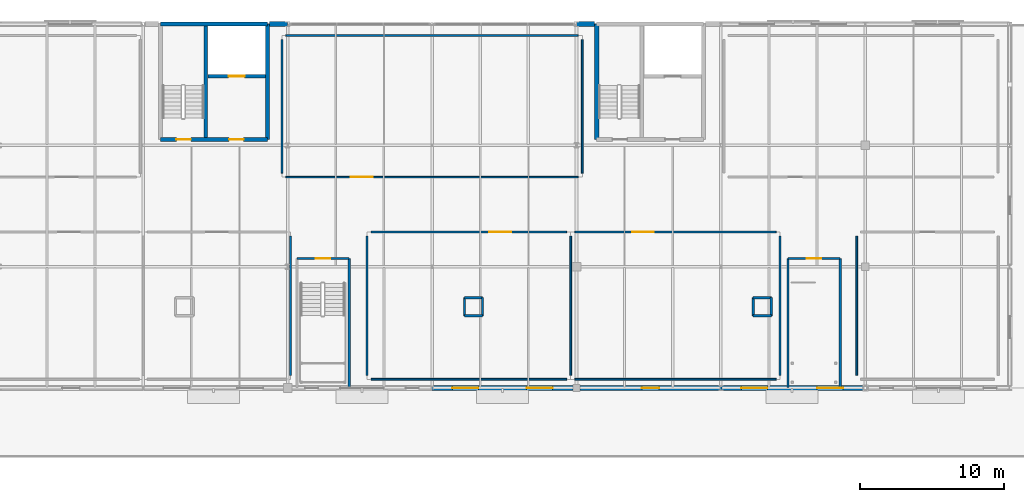
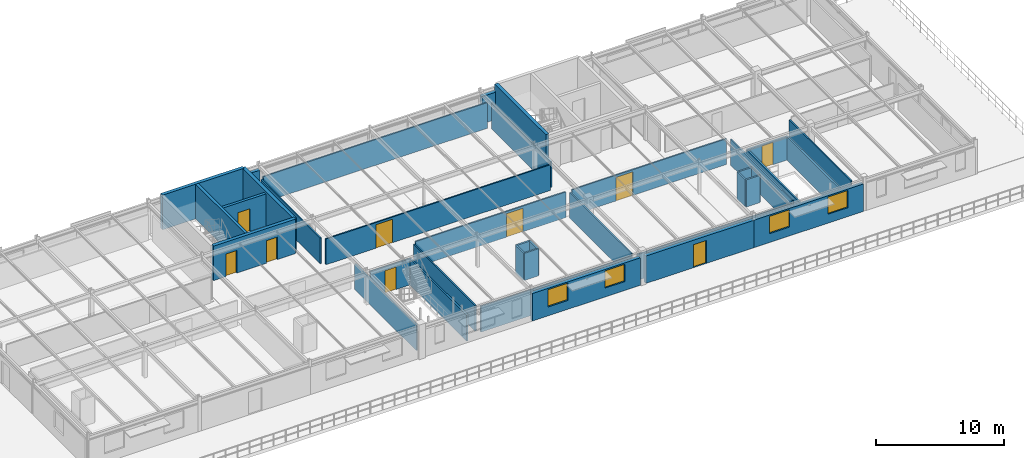
# One storey, part 17 of 23: 37 walls, 9 doors, 4 windows, 13 openings.
"""IFC4 building model written with IfcOpenShell, lengths in metres."""

from ifc_helpers import new_model, si_unit, derived_unit, direction, frame, frame_2d, origin, place, context, subcontext, project, spatial, rectangle, extrude, material, layer, layer_set, type_object, element, fill, save


model = new_model("IFC4")

# Units and contexts
model_context = context("Model", 3, precision=1e-05, world=origin(), true_north=direction((0.0, 1.0)))
body_context = subcontext(model_context, "Body", "Model", "MODEL_VIEW")
ifc_project = project(units=[si_unit("LENGTHUNIT", "METRE"), si_unit("AREAUNIT", "SQUARE_METRE"), si_unit("VOLUMEUNIT", "CUBIC_METRE"), si_unit("PLANEANGLEUNIT", "RADIAN"), si_unit("MASSUNIT", "GRAM", prefix="KILO"), derived_unit("THERMALTRANSMITTANCEUNIT", [(si_unit("POWERUNIT", "WATT"), 1), (si_unit("LENGTHUNIT", "METRE"), -2), (si_unit("THERMODYNAMICTEMPERATUREUNIT", "KELVIN"), -1)])], contexts=[model_context])

# Site, building, storey
site_placement = place(None, origin())
site = spatial("IfcSite", under=ifc_project, at=site_placement, CompositionType="ELEMENT")
building_placement = place(site_placement, origin())
building = spatial("IfcBuilding", under=site, at=building_placement, Name="Cinnabar Yard Market Hall", CompositionType="ELEMENT")
storey_placement = place(building_placement, frame((0.0, 0.0, 12.0)))
storey = spatial("IfcBuildingStorey", under=building, at=storey_placement, Name="L03", CompositionType="ELEMENT", Elevation=12.0)

# Walls
ifc_material_1 = material(Name="Acoustic steel-stud plasterboard", Category="steel")
ifc_layer_1 = layer(ifc_material_1, 0.1201171875)
ifc_layer_set_1 = layer_set([ifc_layer_1], Name="Acoustic steel-stud plasterboard")
wall_type_1 = type_object("IfcWallType", Name="WL-PT120", PredefinedType="PARTITIONING", material=ifc_layer_set_1)
wall_1_placement = place(storey_placement, frame((106.199951171875, 113.679931640625, 0.0), z_axis=(0.0, 0.0, 1.0), x_axis=(0.0, 1.0, 0.0)))
element("IfcWall", 1, at=wall_1_placement, inside=storey, type_object=wall_type_1, Name="Partition Spice and Open-Hearth Masterclass Studio 302 east", PredefinedType="PARTITIONING", context=body_context, shape_type="SweptSolid", body=[
    extrude(rectangle(XDim=9.64013671875, YDim=0.1201171875, at=frame_2d((4.820068359375, 0.0), x_axis=(1.0, 0.0))), origin(), (0.0, 0.0, 1.0), 2.449951171875),
])
wall_2_placement = place(storey_placement, frame((111.780029296875, 113.39990234375, 0.0), z_axis=(0.0, 0.0, 1.0), x_axis=(1.0, 0.0, 0.0)))
element("IfcWall", 2, at=wall_2_placement, inside=storey, type_object=wall_type_1, Name="Partition Community Banquet and Nutrition Hall south", PredefinedType="PARTITIONING", context=body_context, shape_type="SweptSolid", body=[
    extrude(rectangle(XDim=13.5400390625, YDim=0.1201171875, at=frame_2d((6.77001953125, 0.0), x_axis=(1.0, 0.0))), origin(), (0.0, 0.0, 1.0), 2.449951171875),
])
wall_3_placement = place(storey_placement, frame((125.60009765625, 113.679931640625, 0.0), z_axis=(0.0, 0.0, 1.0), x_axis=(0.0, 1.0, 0.0)))
element("IfcWall", 3, at=wall_3_placement, inside=storey, type_object=wall_type_1, Name="Partition Community Banquet and Nutrition Hall east", PredefinedType="PARTITIONING", context=body_context, shape_type="SweptSolid", body=[
    extrude(rectangle(XDim=9.64013671875, YDim=0.1201171875, at=frame_2d((4.820068359375, 0.0), x_axis=(1.0, 0.0))), origin(), (0.0, 0.0, 1.0), 2.449951171875),
])

# Wall, opening, door
wall_4_placement = place(storey_placement, frame((125.320068359375, 123.60009765625, 0.0), z_axis=(0.0, 0.0, 1.0), x_axis=(-1.0, 0.0, 0.0)))
wall_4 = element("IfcWall", 4, at=wall_4_placement, inside=storey, type_object=wall_type_1, Name="Partition Community Banquet and Nutrition Hall north", PredefinedType="PARTITIONING", context=body_context, shape_type="SweptSolid", body=[
    extrude(rectangle(XDim=13.5400390625, YDim=0.1201171875, at=frame_2d((6.77001953125, 0.0), x_axis=(1.0, 0.0))), origin(), (0.0, 0.0, 1.0), 2.449951171875),
])
opening_1_placement = place(wall_4_placement, frame((3.852783203125, 0.0, 0.0)))
opening_1 = element("IfcOpeningElement", 5, at=opening_1_placement, cuts=wall_4, Name="Opening ID-178", PredefinedType="OPENING", context=body_context, shape_type="SweptSolid", body=[
    extrude(rectangle(XDim=1.5, YDim=2.25, at=frame_2d((0.75, 1.125), x_axis=(1.0, 0.0))), frame((0.0, 0.070068359375, 0.0), z_axis=(0.0, -1.0, 0.0), x_axis=(1.0, 0.0, 0.0)), (0.0, 0.0, 1.0), 0.14013671875),
])
ifc_material_2 = material(Name="Spotted gum timber and vision glass", Category="wood")
door_type_1 = type_object("IfcDoorType", Name="DR-D08", OperationType="NOTDEFINED", PredefinedType="DOOR", material=ifc_material_2)
door_1_placement = place(opening_1_placement, origin())
door_1 = element("IfcDoor", 6, at=door_1_placement, inside=storey, type_object=door_type_1, Name="Interior Door ID-178", OperationType="DOUBLE_SWING_LEFT", OverallHeight=2.25, OverallWidth=1.5, PredefinedType="DOOR", context=body_context, shape_type="SweptSolid", body=[
    extrude(rectangle(XDim=1.5, YDim=2.25, at=frame_2d((0.75, 1.125), x_axis=(1.0, 0.0))), frame((0.0, 0.02490234375, 0.0), z_axis=(0.0, -1.0, 0.0), x_axis=(1.0, 0.0, 0.0)), (0.0, 0.0, 1.0), 0.050048828125),
])
fill(opening_1, door_1)

# Walls
wall_5_placement = place(storey_placement, frame((111.5, 123.320068359375, 0.0), z_axis=(0.0, 0.0, 1.0), x_axis=(0.0, -1.0, 0.0)))
element("IfcWall", 7, at=wall_5_placement, inside=storey, type_object=wall_type_1, Name="Partition Community Banquet and Nutrition Hall west", PredefinedType="PARTITIONING", context=body_context, shape_type="SweptSolid", body=[
    extrude(rectangle(XDim=9.64013671875, YDim=0.1201171875, at=frame_2d((4.820068359375, 0.0), x_axis=(1.0, 0.0))), origin(), (0.0, 0.0, 1.0), 2.449951171875),
])
wall_6_placement = place(storey_placement, frame((125.8798828125, 113.39990234375, 0.0), z_axis=(0.0, 0.0, 1.0), x_axis=(1.0, 0.0, 0.0)))
element("IfcWall", 8, at=wall_6_placement, inside=storey, type_object=wall_type_1, Name="Partition Culinary Heritage Classroom 304 south", PredefinedType="PARTITIONING", context=body_context, shape_type="SweptSolid", body=[
    extrude(rectangle(XDim=13.940185546875, YDim=0.1201171875, at=frame_2d((6.97021484375, 0.0), x_axis=(1.0, 0.0))), origin(), (0.0, 0.0, 1.0), 2.449951171875),
])
wall_7_placement = place(storey_placement, frame((140.10009765625, 113.679931640625, 0.0), z_axis=(0.0, 0.0, 1.0), x_axis=(0.0, 1.0, 0.0)))
element("IfcWall", 9, at=wall_7_placement, inside=storey, type_object=wall_type_1, Name="Partition Culinary Heritage Classroom 304 east", PredefinedType="PARTITIONING", context=body_context, shape_type="SweptSolid", body=[
    extrude(rectangle(XDim=9.64013671875, YDim=0.1201171875, at=frame_2d((4.820068359375, 0.0), x_axis=(1.0, 0.0))), origin(), (0.0, 0.0, 1.0), 2.449951171875),
])

# Wall, opening, door
wall_8_placement = place(storey_placement, frame((139.820068359375, 123.60009765625, 0.0), z_axis=(0.0, 0.0, 1.0), x_axis=(-1.0, 0.0, 0.0)))
wall_8 = element("IfcWall", 10, at=wall_8_placement, inside=storey, type_object=wall_type_1, Name="Partition Culinary Heritage Classroom 304 north", PredefinedType="PARTITIONING", context=body_context, shape_type="SweptSolid", body=[
    extrude(rectangle(XDim=13.940185546875, YDim=0.1201171875, at=frame_2d((6.97021484375, 0.0), x_axis=(1.0, 0.0))), origin(), (0.0, 0.0, 1.0), 2.449951171875),
])
opening_2_placement = place(wall_8_placement, frame((8.459228515625, 0.0, 0.0)))
opening_2 = element("IfcOpeningElement", 11, at=opening_2_placement, cuts=wall_8, Name="Opening ID-179", PredefinedType="OPENING", context=body_context, shape_type="SweptSolid", body=[
    extrude(rectangle(XDim=1.5, YDim=2.25, at=frame_2d((0.75, 1.125), x_axis=(1.0, 0.0))), frame((0.0, 0.070068359375, 0.0), z_axis=(0.0, -1.0, 0.0), x_axis=(1.0, 0.0, 0.0)), (0.0, 0.0, 1.0), 0.14013671875),
])
door_2_placement = place(opening_2_placement, origin())
door_2 = element("IfcDoor", 12, at=door_2_placement, inside=storey, type_object=door_type_1, Name="Interior Door ID-179", OperationType="DOUBLE_SWING_RIGHT", OverallHeight=2.25, OverallWidth=1.5, PredefinedType="DOOR", context=body_context, shape_type="SweptSolid", body=[
    extrude(rectangle(XDim=1.5, YDim=2.25, at=frame_2d((0.75, 1.125), x_axis=(1.0, 0.0))), frame((0.0, 0.02490234375, 0.0), z_axis=(0.0, -1.0, 0.0), x_axis=(1.0, 0.0, 0.0)), (0.0, 0.0, 1.0), 0.050048828125),
])
fill(opening_2, door_2)

# Wall
wall_9_placement = place(storey_placement, frame((145.39990234375, 123.320068359375, 0.0), z_axis=(0.0, 0.0, 1.0), x_axis=(0.0, -1.0, 0.0)))
element("IfcWall", 13, at=wall_9_placement, inside=storey, type_object=wall_type_1, Name="Partition Food Safety and Quality Laboratory west", PredefinedType="PARTITIONING", context=body_context, shape_type="SweptSolid", body=[
    extrude(rectangle(XDim=9.64013671875, YDim=0.1201171875, at=frame_2d((4.820068359375, 0.0), x_axis=(1.0, 0.0))), origin(), (0.0, 0.0, 1.0), 2.449951171875),
])

# Wall, opening, door
wall_10_placement = place(storey_placement, frame((105.8798828125, 127.39990234375, 0.0), z_axis=(0.0, 0.0, 1.0), x_axis=(1.0, 0.0, 0.0)))
wall_10 = element("IfcWall", 14, at=wall_10_placement, inside=storey, type_object=wall_type_1, Name="Partition Community Nutrition Classroom 303 south", PredefinedType="PARTITIONING", context=body_context, shape_type="SweptSolid", body=[
    extrude(rectangle(XDim=20.240234375, YDim=0.1201171875, at=frame_2d((10.1201171875, 0.0), x_axis=(1.0, 0.0))), origin(), (0.0, 0.0, 1.0), 2.449951171875),
])
opening_3_placement = place(wall_10_placement, frame((4.49755859375, 0.0, 0.0)))
opening_3 = element("IfcOpeningElement", 15, at=opening_3_placement, cuts=wall_10, Name="Opening ID-182", PredefinedType="OPENING", context=body_context, shape_type="SweptSolid", body=[
    extrude(rectangle(XDim=1.5, YDim=2.25, at=frame_2d((0.75, 1.125), x_axis=(1.0, 0.0))), frame((0.0, 0.070068359375, 0.0), z_axis=(0.0, -1.0, 0.0), x_axis=(1.0, 0.0, 0.0)), (0.0, 0.0, 1.0), 0.14013671875),
])
door_3_placement = place(opening_3_placement, origin())
door_3 = element("IfcDoor", 16, at=door_3_placement, inside=storey, type_object=door_type_1, Name="Interior Door ID-182", OperationType="DOUBLE_SWING_LEFT", OverallHeight=2.25, OverallWidth=1.5, PredefinedType="DOOR", context=body_context, shape_type="SweptSolid", body=[
    extrude(rectangle(XDim=1.5, YDim=2.25, at=frame_2d((0.75, 1.125), x_axis=(1.0, 0.0))), frame((0.0, 0.02490234375, 0.0), z_axis=(0.0, -1.0, 0.0), x_axis=(1.0, 0.0, 0.0)), (0.0, 0.0, 1.0), 0.050048828125),
])
fill(opening_3, door_3)

# Walls
wall_11_placement = place(storey_placement, frame((126.39990234375, 127.679931640625, 0.0), z_axis=(0.0, 0.0, 1.0), x_axis=(0.0, 1.0, 0.0)))
element("IfcWall", 17, at=wall_11_placement, inside=storey, type_object=wall_type_1, Name="Partition Community Nutrition Classroom 303 east", PredefinedType="PARTITIONING", context=body_context, shape_type="SweptSolid", body=[
    extrude(rectangle(XDim=9.239990234375, YDim=0.1201171875, at=frame_2d((4.6201171875, 0.0), x_axis=(1.0, 0.0))), origin(), (0.0, 0.0, 1.0), 2.449951171875),
])
wall_12_placement = place(storey_placement, frame((126.1201171875, 137.199951171875, 0.0), z_axis=(0.0, 0.0, 1.0), x_axis=(-1.0, 0.0, 0.0)))
element("IfcWall", 18, at=wall_12_placement, inside=storey, type_object=wall_type_1, Name="Partition Community Nutrition Classroom 303 north", PredefinedType="PARTITIONING", context=body_context, shape_type="SweptSolid", body=[
    extrude(rectangle(XDim=20.240234375, YDim=0.1201171875, at=frame_2d((10.1201171875, 0.0), x_axis=(1.0, 0.0))), origin(), (0.0, 0.0, 1.0), 2.449951171875),
])
wall_13_placement = place(storey_placement, frame((105.60009765625, 136.919921875, 0.0), z_axis=(0.0, 0.0, 1.0), x_axis=(0.0, -1.0, 0.0)))
element("IfcWall", 19, at=wall_13_placement, inside=storey, type_object=wall_type_1, Name="Partition Community Nutrition Classroom 303 west", PredefinedType="PARTITIONING", context=body_context, shape_type="SweptSolid", body=[
    extrude(rectangle(XDim=9.239990234375, YDim=0.1201171875, at=frame_2d((4.6201171875, 0.0), x_axis=(1.0, 0.0))), origin(), (0.0, 0.0, 1.0), 2.449951171875),
])
ifc_material_3 = material(Name="Fire-rated steel-stud plasterboard", Category="steel")
ifc_layer_2 = layer(ifc_material_3, 0.14990234375)
ifc_layer_set_2 = layer_set([ifc_layer_2], Name="Fire-rated steel-stud plasterboard")
wall_type_2 = type_object("IfcWallType", Name="WL-PT150", PredefinedType="PARTITIONING", material=ifc_layer_set_2)
wall_14_placement = place(storey_placement, frame((110.260009765625, 112.840087890625, 0.0), z_axis=(0.0, 0.0, 1.0), x_axis=(0.0, 1.0, 0.0)))
element("IfcWall", 20, at=wall_14_placement, inside=storey, type_object=wall_type_2, Name="Stair ST-F4 Shaft Wall E L03", PredefinedType="PARTITIONING", context=body_context, shape_type="SweptSolid", body=[
    extrude(rectangle(XDim=8.919921875, YDim=0.14990234375, at=frame_2d((4.4599609375, 0.0), x_axis=(1.0, 0.0))), origin(), (0.0, 0.0, 1.0), 2.489990234375),
])

# Wall, opening, door
wall_15_placement = place(storey_placement, frame((110.260009765625, 121.760009765625, 0.0), z_axis=(0.0, 0.0, 1.0), x_axis=(-1.0, 0.0, 0.0)))
wall_15 = element("IfcWall", 21, at=wall_15_placement, inside=storey, type_object=wall_type_2, Name="Stair ST-F4 Shaft Wall N L03", PredefinedType="PARTITIONING", context=body_context, shape_type="SweptSolid", body=[
    extrude(rectangle(XDim=3.6201171875, YDim=0.14990234375, at=frame_2d((1.81005859375, 0.0), x_axis=(1.0, 0.0))), origin(), (0.0, 0.0, 1.0), 2.489990234375),
])
opening_4_placement = place(wall_15_placement, frame((1.31005859375, 0.0, 0.0)))
opening_4 = element("IfcOpeningElement", 22, at=opening_4_placement, cuts=wall_15, Name="Opening CD-076", PredefinedType="OPENING", context=body_context, shape_type="SweptSolid", body=[
    extrude(rectangle(XDim=1.0, YDim=2.14990234375, at=frame_2d((0.5, 1.074951171875), x_axis=(1.0, 0.0))), frame((0.0, 0.0849609375, 0.0), z_axis=(0.0, -1.0, 0.0), x_axis=(1.0, 0.0, 0.0)), (0.0, 0.0, 1.0), 0.169921875),
])
ifc_material_4 = material(Name="Solid-core spotted gum timber", Category="wood")
door_type_2 = type_object("IfcDoorType", Name="DR-D05", OperationType="NOTDEFINED", PredefinedType="DOOR", material=ifc_material_4)
door_4_placement = place(opening_4_placement, origin())
door_4 = element("IfcDoor", 23, at=door_4_placement, inside=storey, type_object=door_type_2, Name="Stair Door CD-076", OperationType="SINGLE_SWING_LEFT", OverallHeight=2.14990234375, OverallWidth=1.0, PredefinedType="DOOR", context=body_context, shape_type="SweptSolid", body=[
    extrude(rectangle(XDim=1.0, YDim=2.14990234375, at=frame_2d((0.5, 1.074951171875), x_axis=(1.0, 0.0))), frame((0.0, 0.02490234375, 0.0), z_axis=(0.0, -1.0, 0.0), x_axis=(1.0, 0.0, 0.0)), (0.0, 0.0, 1.0), 0.050048828125),
])
fill(opening_4, door_4)

# Walls
for number, where, z_axis, x_axis, name in (
    (24, (140.639892578125, 121.760009765625, 0.0), (0.0, 0.0, 1.0), (0.0, -1.0, 0.0), "Stair ST-F6 Shaft Wall W L03"),
    (25, (144.260009765625, 112.840087890625, 0.0), (0.0, 0.0, 1.0), (0.0, 1.0, 0.0), "Stair ST-F6 Shaft Wall E L03"),
):
    element("IfcWall", number, at=place(storey_placement, frame(where, z_axis=z_axis, x_axis=x_axis)), inside=storey, type_object=wall_type_2, Name=name, PredefinedType="PARTITIONING", context=body_context, shape_type="SweptSolid", body=[
        extrude(rectangle(XDim=8.919921875, YDim=0.14990234375, at=frame_2d((4.4599609375, 0.0), x_axis=(1.0, 0.0))), origin(), (0.0, 0.0, 1.0), 2.239990234375),
    ])

# Wall, opening, door
wall_16_placement = place(storey_placement, frame((144.260009765625, 121.760009765625, 0.0), z_axis=(0.0, 0.0, 1.0), x_axis=(-1.0, 0.0, 0.0)))
wall_16 = element("IfcWall", 26, at=wall_16_placement, inside=storey, type_object=wall_type_2, Name="Stair ST-F6 Shaft Wall N L03", PredefinedType="PARTITIONING", context=body_context, shape_type="SweptSolid", body=[
    extrude(rectangle(XDim=3.6201171875, YDim=0.14990234375, at=frame_2d((1.81005859375, 0.0), x_axis=(1.0, 0.0))), origin(), (0.0, 0.0, 1.0), 2.239990234375),
])
opening_5_placement = place(wall_16_placement, frame((1.31005859375, 0.0, 0.0)))
opening_5 = element("IfcOpeningElement", 27, at=opening_5_placement, cuts=wall_16, Name="Opening CD-084", PredefinedType="OPENING", context=body_context, shape_type="SweptSolid", body=[
    extrude(rectangle(XDim=1.0, YDim=2.14990234375, at=frame_2d((0.5, 1.074951171875), x_axis=(1.0, 0.0))), frame((0.0, 0.0849609375, 0.0), z_axis=(0.0, -1.0, 0.0), x_axis=(1.0, 0.0, 0.0)), (0.0, 0.0, 1.0), 0.169921875),
])
door_5_placement = place(opening_5_placement, origin())
door_5 = element("IfcDoor", 28, at=door_5_placement, inside=storey, type_object=door_type_2, Name="Stair Door CD-084", OperationType="SINGLE_SWING_LEFT", OverallHeight=2.14990234375, OverallWidth=1.0, PredefinedType="DOOR", context=body_context, shape_type="SweptSolid", body=[
    extrude(rectangle(XDim=1.0, YDim=2.14990234375, at=frame_2d((0.5, 1.074951171875), x_axis=(1.0, 0.0))), frame((0.0, 0.02490234375, 0.0), z_axis=(0.0, -1.0, 0.0), x_axis=(1.0, 0.0, 0.0)), (0.0, 0.0, 1.0), 0.050048828125),
])
fill(opening_5, door_5)

# Walls
for number, where, z_axis, x_axis, name in (
    (29, (118.239990234375, 117.800048828125, 0.0), (0.0, 0.0, 1.0), (1.0, 0.0, 0.0), "Service Shaft Wall L03-3-1"),
    (30, (119.489990234375, 117.800048828125, 0.0), (0.0, 0.0, 1.0), (0.0, 1.0, 0.0), "Service Shaft Wall L03-3-2"),
    (31, (119.489990234375, 119.050048828125, 0.0), (0.0, 0.0, 1.0), (-1.0, 0.0, 0.0), "Service Shaft Wall L03-3-3"),
    (32, (118.239990234375, 119.050048828125, 0.0), (0.0, 0.0, 1.0), (0.0, -1.0, 0.0), "Service Shaft Wall L03-3-4"),
    (33, (138.239990234375, 117.800048828125, 0.0), (0.0, 0.0, 1.0), (1.0, 0.0, 0.0), "Service Shaft Wall L03-4-1"),
    (34, (139.489990234375, 117.800048828125, 0.0), (0.0, 0.0, 1.0), (0.0, 1.0, 0.0), "Service Shaft Wall L03-4-2"),
    (35, (139.489990234375, 119.050048828125, 0.0), (0.0, 0.0, 1.0), (-1.0, 0.0, 0.0), "Service Shaft Wall L03-4-3"),
    (36, (138.239990234375, 119.050048828125, 0.0), (0.0, 0.0, 1.0), (0.0, -1.0, 0.0), "Service Shaft Wall L03-4-4"),
):
    element("IfcWall", number, at=place(storey_placement, frame(where, z_axis=z_axis, x_axis=x_axis)), inside=storey, type_object=wall_type_2, Name=name, PredefinedType="PARTITIONING", context=body_context, shape_type="SweptSolid", body=[
        extrude(rectangle(XDim=1.25, YDim=0.14990234375, at=frame_2d((0.625, 0.0), x_axis=(1.0, 0.0))), origin(), (0.0, 0.0, 1.0), 2.590087890625),
    ])
ifc_material_5 = material(Name="Concrete 40 MPa", Category="concrete")
ifc_layer_3 = layer(ifc_material_5, 0.300048828125)
ifc_layer_set_3 = layer_set([ifc_layer_3], Name="Concrete 40 MPa")
wall_type_3 = type_object("IfcWallType", Name="WL-W-CORE", PredefinedType="SHEAR", material=ifc_layer_set_3)
wall_17_placement = place(storey_placement, frame((104.60009765625, 130.0, 0.0), z_axis=(0.0, 0.0, 1.0), x_axis=(0.0, 1.0, 0.0)))
element("IfcWall", 37, at=wall_17_placement, inside=storey, type_object=wall_type_3, Name="Core C5 East Shear Wall L03", PredefinedType="SHEAR", context=body_context, shape_type="SweptSolid", body=[
    extrude(rectangle(XDim=8.0, YDim=0.300048828125, at=frame_2d((4.0, 0.0), x_axis=(1.0, 0.0))), origin(), (0.0, 0.0, 1.0), 3.300048828125),
])

# Wall, openings, doors
wall_18_placement = place(storey_placement, frame((97.199951171875, 130.0, 0.0), z_axis=(0.0, 0.0, 1.0), x_axis=(1.0, 0.0, 0.0)))
wall_18 = element("IfcWall", 38, at=wall_18_placement, inside=storey, type_object=wall_type_3, Name="Core C5 South Shear Wall L03", PredefinedType="SHEAR", context=body_context, shape_type="SweptSolid", body=[
    extrude(rectangle(XDim=7.400146484375, YDim=0.300048828125, at=frame_2d((3.7001953125, 0.0), x_axis=(1.0, 0.0))), origin(), (0.0, 0.0, 1.0), 3.300048828125),
])
opening_6_placement = place(wall_18_placement, frame((1.10009765625, 0.0, 0.0)))
opening_6 = element("IfcOpeningElement", 39, at=opening_6_placement, cuts=wall_18, Name="Opening CD-037", PredefinedType="OPENING", context=body_context, shape_type="SweptSolid", body=[
    extrude(rectangle(XDim=1.0, YDim=2.14990234375, at=frame_2d((0.5, 1.074951171875), x_axis=(1.0, 0.0))), frame((0.0, 0.159912109375, 0.0), z_axis=(0.0, -1.0, 0.0), x_axis=(1.0, 0.0, 0.0)), (0.0, 0.0, 1.0), 0.320068359375),
])
opening_7_placement = place(wall_18_placement, frame((4.75, 0.0, 0.0)))
opening_7 = element("IfcOpeningElement", 40, at=opening_7_placement, cuts=wall_18, Name="Opening CD-038", PredefinedType="OPENING", context=body_context, shape_type="SweptSolid", body=[
    extrude(rectangle(XDim=1.0, YDim=2.14990234375, at=frame_2d((0.5, 1.074951171875), x_axis=(1.0, 0.0))), frame((0.0, 0.159912109375, 0.0), z_axis=(0.0, -1.0, 0.0), x_axis=(1.0, 0.0, 0.0)), (0.0, 0.0, 1.0), 0.320068359375),
])
door_6_placement = place(opening_6_placement, origin())
door_6 = element("IfcDoor", 41, at=door_6_placement, inside=storey, type_object=door_type_2, Name="Core Door CD-037", OperationType="SINGLE_SWING_RIGHT", OverallHeight=2.14990234375, OverallWidth=1.0, PredefinedType="DOOR", context=body_context, shape_type="SweptSolid", body=[
    extrude(rectangle(XDim=1.0, YDim=2.14990234375, at=frame_2d((0.5, 1.074951171875), x_axis=(1.0, 0.0))), frame((0.0, 0.02490234375, 0.0), z_axis=(0.0, -1.0, 0.0), x_axis=(1.0, 0.0, 0.0)), (0.0, 0.0, 1.0), 0.050048828125),
])
fill(opening_6, door_6)
door_7_placement = place(opening_7_placement, origin())
door_7 = element("IfcDoor", 42, at=door_7_placement, inside=storey, type_object=door_type_2, Name="Core Door CD-038", OperationType="SINGLE_SWING_LEFT", OverallHeight=2.14990234375, OverallWidth=1.0, PredefinedType="DOOR", context=body_context, shape_type="SweptSolid", body=[
    extrude(rectangle(XDim=1.0, YDim=2.14990234375, at=frame_2d((0.5, 1.074951171875), x_axis=(1.0, 0.0))), frame((0.0, 0.02490234375, 0.0), z_axis=(0.0, -1.0, 0.0), x_axis=(1.0, 0.0, 0.0)), (0.0, 0.0, 1.0), 0.050048828125),
])
fill(opening_7, door_7)

# Walls
wall_19_placement = place(storey_placement, frame((104.60009765625, 138.0, 0.0), z_axis=(0.0, 0.0, 1.0), x_axis=(-1.0, 0.0, 0.0)))
element("IfcWall", 43, at=wall_19_placement, inside=storey, type_object=wall_type_3, Name="Core C5 North Shear Wall L03", PredefinedType="SHEAR", context=body_context, shape_type="SweptSolid", body=[
    extrude(rectangle(XDim=7.400146484375, YDim=0.300048828125, at=frame_2d((3.7001953125, 0.0), x_axis=(1.0, 0.0))), origin(), (0.0, 0.0, 1.0), 3.300048828125),
])
wall_20_placement = place(storey_placement, frame((127.39990234375, 138.0, 0.0), z_axis=(0.0, 0.0, 1.0), x_axis=(0.0, -1.0, 0.0)))
element("IfcWall", 44, at=wall_20_placement, inside=storey, type_object=wall_type_3, Name="Core C6 West Shear Wall L03", PredefinedType="SHEAR", context=body_context, shape_type="SweptSolid", body=[
    extrude(rectangle(XDim=8.0, YDim=0.300048828125, at=frame_2d((4.0, 0.0), x_axis=(1.0, 0.0))), origin(), (0.0, 0.0, 1.0), 3.300048828125),
])
ifc_material_6 = material(Name="Cream limestone and Concrete 32 MPa", Category="masonry")
ifc_layer_4 = layer(ifc_material_6, 0.320068359375)
ifc_layer_set_4 = layer_set([ifc_layer_4], Name="Cream limestone and Concrete 32 MPa")
wall_type_4 = type_object("IfcWallType", Name="WL-W-EXT2", PredefinedType="SOLIDWALL", material=ifc_layer_set_4)
wall_21_placement = place(storey_placement, frame((105.989990234375, 138.0, 0.0), z_axis=(0.0, 0.0, 1.0), x_axis=(-1.0, 0.0, 0.0)))
element("IfcWall", 45, at=wall_21_placement, inside=storey, type_object=wall_type_4, Name="Wing North Flank L03 Bay 3E", PredefinedType="SOLIDWALL", context=body_context, shape_type="SweptSolid", body=[
    extrude(rectangle(XDim=1.239990234375, YDim=0.320068359375, at=frame_2d((0.6201171875, 0.0), x_axis=(1.0, 0.0))), origin(), (0.0, 0.0, 1.0), 2.6201171875),
])

# Wall, openings, windows
wall_22_placement = place(storey_placement, frame((116.010009765625, 112.800048828125, 0.0), z_axis=(0.0, 0.0, 1.0), x_axis=(1.0, 0.0, 0.0)))
wall_22 = element("IfcWall", 46, at=wall_22_placement, inside=storey, type_object=wall_type_4, Name="Wing South Wall L03 Bay 5", PredefinedType="SOLIDWALL", context=body_context, shape_type="SweptSolid", body=[
    extrude(rectangle(XDim=9.736083984375, YDim=0.320068359375, at=frame_2d((4.8681640625, 0.0), x_axis=(1.0, 0.0))), origin(), (0.0, 0.0, 1.0), 2.6201171875),
])
opening_8_placement = place(wall_22_placement, frame((1.39990234375, 0.0, 0.85009765625)))
opening_8 = element("IfcOpeningElement", 47, at=opening_8_placement, cuts=wall_22, Name="Opening W11", PredefinedType="OPENING", context=body_context, shape_type="SweptSolid", body=[
    extrude(rectangle(XDim=1.800048828125, YDim=1.64990234375, at=frame_2d((0.89990234375, 0.824951171875), x_axis=(1.0, 0.0))), frame((0.0, 0.169921875, 0.0), z_axis=(0.0, -1.0, 0.0), x_axis=(1.0, 0.0, 0.0)), (0.0, 0.0, 1.0), 0.340087890625),
])
opening_9_placement = place(wall_22_placement, frame((6.535888671875, 0.0, 0.85009765625)))
opening_9 = element("IfcOpeningElement", 48, at=opening_9_placement, cuts=wall_22, Name="Opening W11", PredefinedType="OPENING", context=body_context, shape_type="SweptSolid", body=[
    extrude(rectangle(XDim=1.800048828125, YDim=1.64990234375, at=frame_2d((0.89990234375, 0.824951171875), x_axis=(1.0, 0.0))), frame((0.0, 0.169921875, 0.0), z_axis=(0.0, -1.0, 0.0), x_axis=(1.0, 0.0, 0.0)), (0.0, 0.0, 1.0), 0.340087890625),
])
ifc_material_7 = material(Name="Upper Masterclass double glazing in bronze aluminium", Category="aluminium")
window_type = type_object("IfcWindowType", Name="WN-W11", PartitioningType="SINGLE_PANEL", PredefinedType="WINDOW", material=ifc_material_7)
window_1_placement = place(opening_8_placement, origin())
window_1 = element("IfcWindow", 49, at=window_1_placement, inside=storey, type_object=window_type, Name="Window WN-V3S-L03-5A", OverallHeight=1.64990234375, OverallWidth=1.800048828125, PartitioningType="SINGLE_PANEL", PredefinedType="WINDOW", context=body_context, shape_type="SweptSolid", body=[
    extrude(rectangle(XDim=1.800048828125, YDim=1.64990234375, at=frame_2d((0.89990234375, 0.824951171875), x_axis=(1.0, 0.0))), frame((0.0, 0.030029296875, 0.0), z_axis=(0.0, -1.0, 0.0), x_axis=(1.0, 0.0, 0.0)), (0.0, 0.0, 1.0), 0.06005859375),
])
fill(opening_8, window_1)
window_2_placement = place(opening_9_placement, origin())
window_2 = element("IfcWindow", 50, at=window_2_placement, inside=storey, type_object=window_type, Name="Window WN-V3S-L03-5B", OverallHeight=1.64990234375, OverallWidth=1.800048828125, PartitioningType="SINGLE_PANEL", PredefinedType="WINDOW", context=body_context, shape_type="SweptSolid", body=[
    extrude(rectangle(XDim=1.800048828125, YDim=1.64990234375, at=frame_2d((0.89990234375, 0.824951171875), x_axis=(1.0, 0.0))), frame((0.0, 0.030029296875, 0.0), z_axis=(0.0, -1.0, 0.0), x_axis=(1.0, 0.0, 0.0)), (0.0, 0.0, 1.0), 0.06005859375),
])
fill(opening_9, window_2)

# Wall, opening, door
wall_23_placement = place(storey_placement, frame((126.25390625, 112.800048828125, 0.0), z_axis=(0.0, 0.0, 1.0), x_axis=(1.0, 0.0, 0.0)))
wall_23 = element("IfcWall", 51, at=wall_23_placement, inside=storey, type_object=wall_type_4, Name="Wing South Wall L03 Bay 6", PredefinedType="SOLIDWALL", context=body_context, shape_type="SweptSolid", body=[
    extrude(rectangle(XDim=9.736083984375, YDim=0.320068359375, at=frame_2d((4.8681640625, 0.0), x_axis=(1.0, 0.0))), origin(), (0.0, 0.0, 1.0), 2.6201171875),
])
opening_10_placement = place(wall_23_placement, frame((4.26806640625, 0.0, 0.0)))
opening_10 = element("IfcOpeningElement", 52, at=opening_10_placement, cuts=wall_23, Name="Opening ED-038", PredefinedType="OPENING", context=body_context, shape_type="SweptSolid", body=[
    extrude(rectangle(XDim=1.199951171875, YDim=2.199951171875, at=frame_2d((0.60009765625, 1.10009765625), x_axis=(1.0, 0.0))), frame((0.0, 0.169921875, 0.0), z_axis=(0.0, -1.0, 0.0), x_axis=(1.0, 0.0, 0.0)), (0.0, 0.0, 1.0), 0.340087890625),
])
ifc_material_8 = material(Name="Anodised bronze aluminium and laminated glass", Category="aluminium")
door_type_3 = type_object("IfcDoorType", Name="DR-D04", OperationType="NOTDEFINED", PredefinedType="DOOR", material=ifc_material_8)
door_8_placement = place(opening_10_placement, origin())
door_8 = element("IfcDoor", 53, at=door_8_placement, inside=storey, type_object=door_type_3, Name="Door ED-038", OperationType="SINGLE_SWING_LEFT", OverallHeight=2.199951171875, OverallWidth=1.199951171875, PredefinedType="DOOR", context=body_context, shape_type="SweptSolid", body=[
    extrude(rectangle(XDim=1.199951171875, YDim=2.199951171875, at=frame_2d((0.60009765625, 1.10009765625), x_axis=(1.0, 0.0))), frame((0.0, 0.02490234375, 0.0), z_axis=(0.0, -1.0, 0.0), x_axis=(1.0, 0.0, 0.0)), (0.0, 0.0, 1.0), 0.050048828125),
])
fill(opening_10, door_8)

# Wall
wall_24_placement = place(storey_placement, frame((127.25, 138.0, 0.0), z_axis=(0.0, 0.0, 1.0), x_axis=(-1.0, 0.0, 0.0)))
element("IfcWall", 54, at=wall_24_placement, inside=storey, type_object=wall_type_4, Name="Wing North Flank L03 Bay 6W", PredefinedType="SOLIDWALL", context=body_context, shape_type="SweptSolid", body=[
    extrude(rectangle(XDim=1.239013671875, YDim=0.320068359375, at=frame_2d((0.61962890625, 0.0), x_axis=(1.0, 0.0))), origin(), (0.0, 0.0, 1.0), 2.6201171875),
])

# Wall, openings, windows
wall_25_placement = place(storey_placement, frame((136.010009765625, 112.800048828125, 0.0), z_axis=(0.0, 0.0, 1.0), x_axis=(1.0, 0.0, 0.0)))
wall_25 = element("IfcWall", 55, at=wall_25_placement, inside=storey, type_object=wall_type_4, Name="Wing South Wall L03 Bay 7", PredefinedType="SOLIDWALL", context=body_context, shape_type="SweptSolid", body=[
    extrude(rectangle(XDim=9.859375, YDim=0.320068359375, at=frame_2d((4.9296875, 0.0), x_axis=(1.0, 0.0))), origin(), (0.0, 0.0, 1.0), 2.6201171875),
])
opening_11_placement = place(wall_25_placement, frame((1.39990234375, 0.0, 0.85009765625)))
opening_11 = element("IfcOpeningElement", 56, at=opening_11_placement, cuts=wall_25, Name="Opening W11", PredefinedType="OPENING", context=body_context, shape_type="SweptSolid", body=[
    extrude(rectangle(XDim=1.800048828125, YDim=1.64990234375, at=frame_2d((0.89990234375, 0.824951171875), x_axis=(1.0, 0.0))), frame((0.0, 0.169921875, 0.0), z_axis=(0.0, -1.0, 0.0), x_axis=(1.0, 0.0, 0.0)), (0.0, 0.0, 1.0), 0.340087890625),
])
opening_12_placement = place(wall_25_placement, frame((6.659423828125, 0.0, 0.85009765625)))
opening_12 = element("IfcOpeningElement", 57, at=opening_12_placement, cuts=wall_25, Name="Opening W11", PredefinedType="OPENING", context=body_context, shape_type="SweptSolid", body=[
    extrude(rectangle(XDim=1.800048828125, YDim=1.64990234375, at=frame_2d((0.89990234375, 0.824951171875), x_axis=(1.0, 0.0))), frame((0.0, 0.169921875, 0.0), z_axis=(0.0, -1.0, 0.0), x_axis=(1.0, 0.0, 0.0)), (0.0, 0.0, 1.0), 0.340087890625),
])
window_3_placement = place(opening_11_placement, origin())
window_3 = element("IfcWindow", 58, at=window_3_placement, inside=storey, type_object=window_type, Name="Window WN-V3S-L03-7A", OverallHeight=1.64990234375, OverallWidth=1.800048828125, PartitioningType="SINGLE_PANEL", PredefinedType="WINDOW", context=body_context, shape_type="SweptSolid", body=[
    extrude(rectangle(XDim=1.800048828125, YDim=1.64990234375, at=frame_2d((0.89990234375, 0.824951171875), x_axis=(1.0, 0.0))), frame((0.0, 0.030029296875, 0.0), z_axis=(0.0, -1.0, 0.0), x_axis=(1.0, 0.0, 0.0)), (0.0, 0.0, 1.0), 0.06005859375),
])
fill(opening_11, window_3)
window_4_placement = place(opening_12_placement, origin())
window_4 = element("IfcWindow", 59, at=window_4_placement, inside=storey, type_object=window_type, Name="Window WN-V3S-L03-7B", OverallHeight=1.64990234375, OverallWidth=1.800048828125, PartitioningType="SINGLE_PANEL", PredefinedType="WINDOW", context=body_context, shape_type="SweptSolid", body=[
    extrude(rectangle(XDim=1.800048828125, YDim=1.64990234375, at=frame_2d((0.89990234375, 0.824951171875), x_axis=(1.0, 0.0))), frame((0.0, 0.030029296875, 0.0), z_axis=(0.0, -1.0, 0.0), x_axis=(1.0, 0.0, 0.0)), (0.0, 0.0, 1.0), 0.06005859375),
])
fill(opening_12, window_4)

# Wall
ifc_layer_5 = layer(ifc_material_5, 0.25)
ifc_layer_set_5 = layer_set([ifc_layer_5], Name="Concrete 40 MPa")
wall_type_5 = type_object("IfcWallType", Name="WL-W-SHAFT", PredefinedType="SHEAR", material=ifc_layer_set_5)
wall_26_placement = place(storey_placement, frame((100.31494140625, 130.14990234375, 0.0), z_axis=(0.0, 0.0, 1.0), x_axis=(0.0, 1.0, 0.0)))
element("IfcWall", 60, at=wall_26_placement, inside=storey, type_object=wall_type_5, Name="Core C5 Shaft Divider L03", PredefinedType="SHEAR", context=body_context, shape_type="SweptSolid", body=[
    extrude(rectangle(XDim=7.7001953125, YDim=0.25, at=frame_2d((3.85009765625, 0.0), x_axis=(1.0, 0.0))), origin(), (0.0, 0.0, 1.0), 3.300048828125),
])

# Wall, opening, door
wall_27_placement = place(storey_placement, frame((100.47998046875, 134.3798828125, 0.0), z_axis=(0.0, 0.0, 1.0), x_axis=(1.0, 0.0, 0.0)))
wall_27 = element("IfcWall", 61, at=wall_27_placement, inside=storey, type_object=wall_type_5, Name="Core C5 Lift Front Wall L03", PredefinedType="SHEAR", context=body_context, shape_type="SweptSolid", body=[
    extrude(rectangle(XDim=3.969970703125, YDim=0.25, at=frame_2d((1.98486328125, 0.0), x_axis=(1.0, 0.0))), origin(), (0.0, 0.0, 1.0), 3.070068359375),
])
opening_13_placement = place(wall_27_placement, frame((1.43505859375, 0.0, 0.0)))
opening_13 = element("IfcOpeningElement", 62, at=opening_13_placement, cuts=wall_27, Name="Opening LD-LF-02-L03", PredefinedType="OPENING", context=body_context, shape_type="SweptSolid", body=[
    extrude(rectangle(XDim=1.10009765625, YDim=2.14990234375, at=frame_2d((0.550048828125, 1.074951171875), x_axis=(1.0, 0.0))), frame((0.0, 0.135009765625, 0.0), z_axis=(0.0, -1.0, 0.0), x_axis=(1.0, 0.0, 0.0)), (0.0, 0.0, 1.0), 0.27001953125),
])
ifc_material_9 = material(Name="Brushed stainless steel landing door", Category="steel")
door_type_4 = type_object("IfcDoorType", Name="DR-LD01", OperationType="NOTDEFINED", PredefinedType="DOOR", material=ifc_material_9)
door_9_placement = place(opening_13_placement, origin())
door_9 = element("IfcDoor", 63, at=door_9_placement, inside=storey, type_object=door_type_4, Name="Lift Landing Door LD-LF-02-L03", OperationType="SLIDING_TO_LEFT", OverallHeight=2.14990234375, OverallWidth=1.10009765625, PredefinedType="DOOR", context=body_context, shape_type="SweptSolid", body=[
    extrude(rectangle(XDim=1.10009765625, YDim=2.14990234375, at=frame_2d((0.550048828125, 1.074951171875), x_axis=(1.0, 0.0))), frame((0.0, 0.02490234375, 0.0), z_axis=(0.0, -1.0, 0.0), x_axis=(1.0, 0.0, 0.0)), (0.0, 0.0, 1.0), 0.050048828125),
])
fill(opening_13, door_9)

save(model, "model.ifc")
